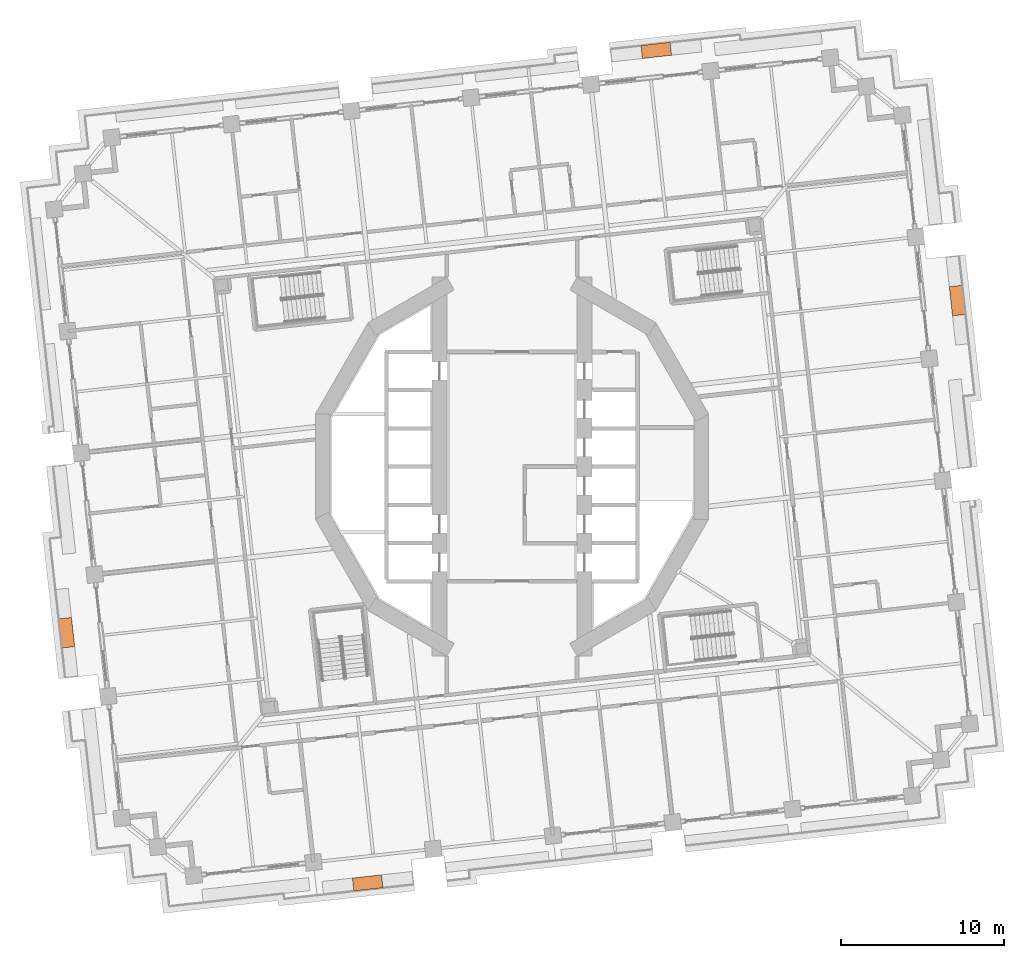
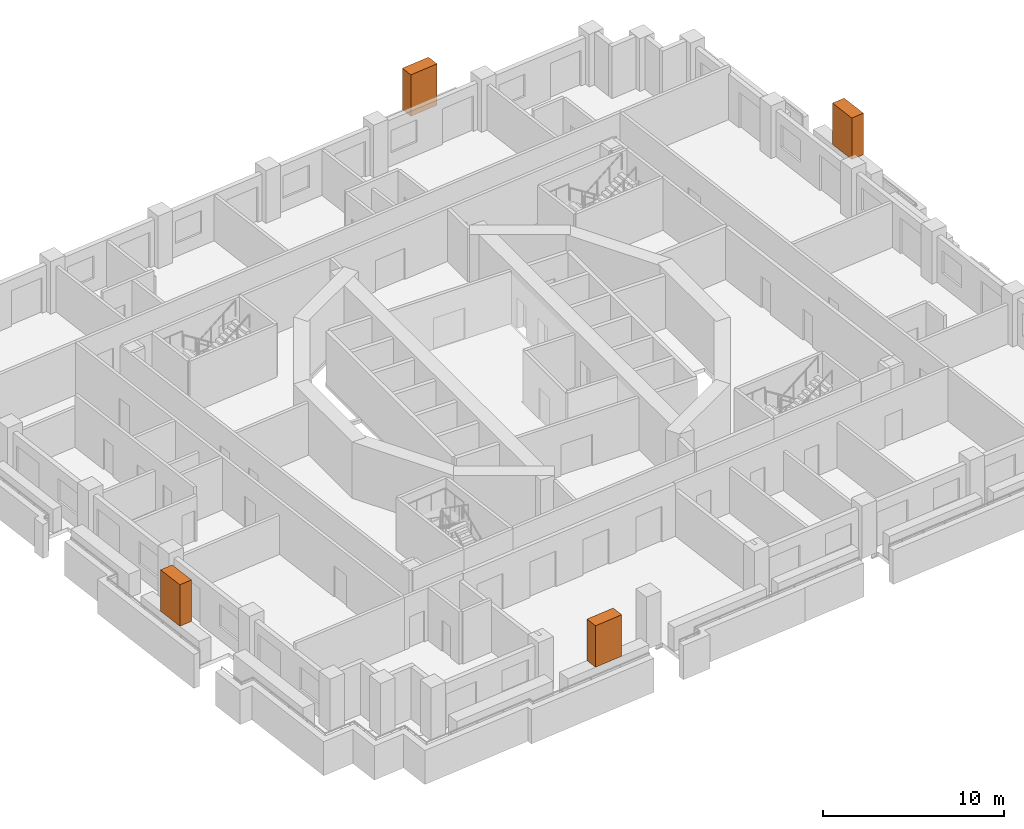
# One storey, part 18 of 18: 4 proxies.
"""IFC4 building model written with IfcOpenShell, lengths in metres."""

from ifc_helpers import new_model, si_unit, direction, frame, origin, origin_2d, place, context, subcontext, project, spatial, rectangle, extrude, element, save


model = new_model("IFC4")

# Units and contexts
model_context = context("Model", 3, precision=1e-05, world=origin(), true_north=direction((0.0, 1.0)))
body_context = subcontext(model_context, "Body", "Model", "MODEL_VIEW")
ifc_project = project(units=[si_unit("LENGTHUNIT", "METRE"), si_unit("AREAUNIT", "SQUARE_METRE"), si_unit("VOLUMEUNIT", "CUBIC_METRE"), si_unit("PLANEANGLEUNIT", "RADIAN"), si_unit("MASSUNIT", "GRAM", prefix="KILO")], contexts=[model_context])

# Site, building, storey
site_placement = place(None, origin())
site = spatial("IfcSite", under=ifc_project, at=site_placement, CompositionType="ELEMENT")
building_placement = place(site_placement, origin())
building = spatial("IfcBuilding", under=site, at=building_placement, Name="Cantera Rosa Tower", CompositionType="ELEMENT")
storey_placement = place(building_placement, frame((0.0, 0.0, 76.699951171875)))
storey = spatial("IfcBuildingStorey", under=building, at=storey_placement, Name="L16", CompositionType="ELEMENT", Elevation=76.699951171875)

# Proxies
for number, where, z_axis, x_axis, name in (
    (1, (27.348388671875, 10.19921875, 1.60009765625), (0.0, 0.0, 1.0), (-0.110312555526, 0.993896946415, 0.0), "TREE L16-04"),
    (2, (8.859375, 25.5615234375, 1.60009765625), (0.0, 0.0, 1.0), (-0.993896946415, -0.110312555526, 0.0), "TREE L16-07"),
    (3, (-27.348388671875, -10.19921875, 1.60009765625), (0.0, 0.0, 1.0), (0.110312555526, -0.993896946415, 0.0), "TREE L16-15"),
    (4, (-8.859375, -25.5615234375, 1.60009765625), (0.0, 0.0, 1.0), (0.993896946415, 0.110312555526, 0.0), "TREE L16-18"),
):
    element("IfcBuildingElementProxy", number, at=place(storey_placement, frame(where, z_axis=z_axis, x_axis=x_axis)), inside=storey, Name=name, ObjectType="TREE", PredefinedType="USERDEFINED", context=body_context, shape_type="SweptSolid", body=[
        extrude(rectangle(XDim=1.800048828125, YDim=0.800048828125, at=origin_2d()), origin(), (0.0, 0.0, 1.0), 2.800048828125),
    ])

save(model, "model.ifc")
